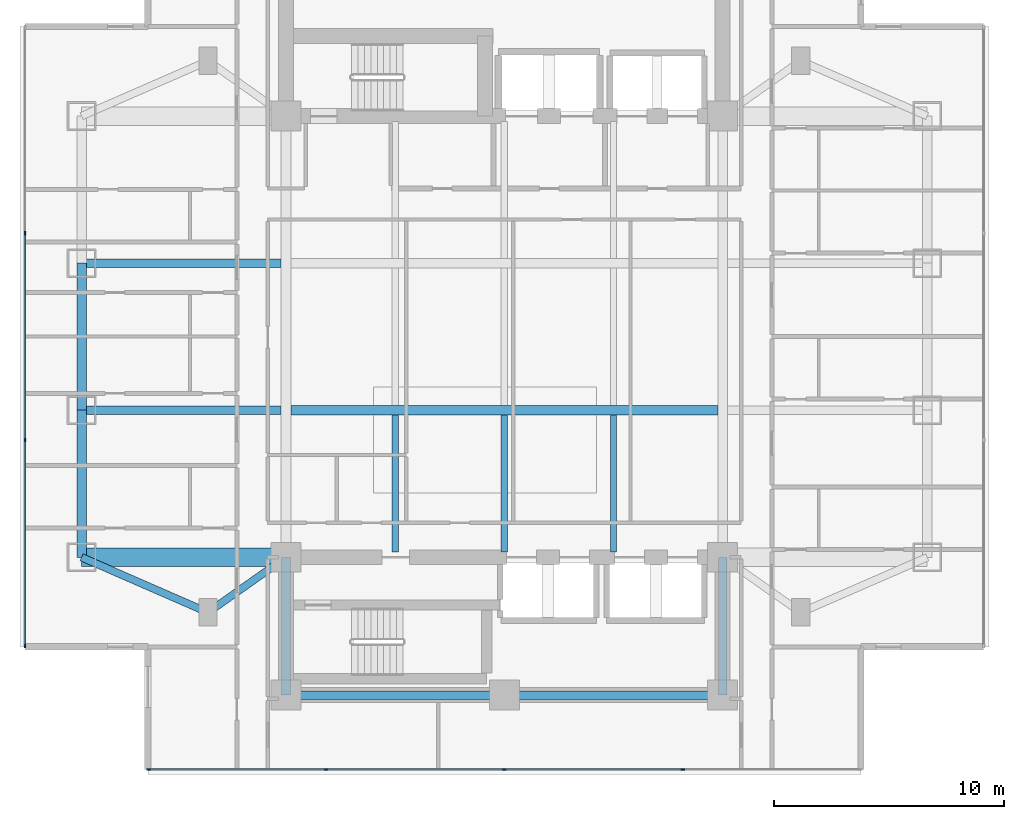
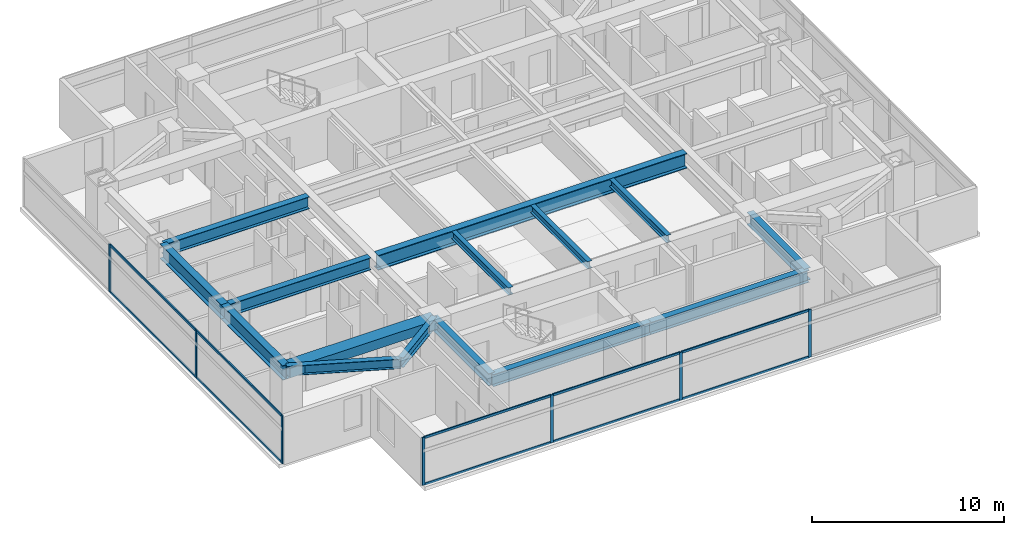
# One storey, part 2 of 27: 17 members, 15 beams, 2 elements without a shape of their own.
"""IFC4 building model written with IfcOpenShell, lengths in metres."""

from ifc_helpers import new_model, si_unit, direction, frame, origin, origin_2d, place, context, subcontext, project, spatial, rectangle, i_section, extrude, material, material_profile, profile_set, type_object, element, aggregate, save


model = new_model("IFC4")

# Units and contexts
model_context = context("Model", 3, precision=1e-05, world=origin(), true_north=direction((0.0, 1.0)))
body_context = subcontext(model_context, "Body", "Model", "MODEL_VIEW")
ifc_project = project(units=[si_unit("LENGTHUNIT", "METRE"), si_unit("AREAUNIT", "SQUARE_METRE"), si_unit("VOLUMEUNIT", "CUBIC_METRE"), si_unit("PLANEANGLEUNIT", "RADIAN"), si_unit("MASSUNIT", "GRAM", prefix="KILO")], contexts=[model_context])

# Site, building, storey
site_placement = place(None, origin())
site = spatial("IfcSite", under=ifc_project, at=site_placement, CompositionType="ELEMENT")
building_placement = place(site_placement, origin())
building = spatial("IfcBuilding", under=site, at=building_placement, Name="Mirazonda Arch Towers", CompositionType="ELEMENT")
storey_placement = place(building_placement, frame((0.0, 0.0, 55.39990234375)))
storey = spatial("IfcBuildingStorey", under=building, at=storey_placement, Name="L15", CompositionType="ELEMENT", Elevation=55.39990234375)

# Beams
ifc_material_1 = material(Name="Steel ASTM A992 Grade 50", Category="steel")
ifc_material_profile_1 = material_profile(ifc_material_1, i_section(OverallWidth=0.41796875, OverallDepth=0.927001953125, WebThickness=0.019287109375, FlangeThickness=0.031982421875, at=origin_2d()), Name="W36X231")
ifc_profile_set_1 = profile_set([ifc_material_profile_1], Name="Steel ASTM A992 Grade 50")
beam_type_1 = type_object("IfcBeamType", Name="BM-EXT-W36X231", PredefinedType="USERDEFINED", material=ifc_profile_set_1)
beam_1_placement = place(storey_placement, frame((2.10009765625, 18.39990234375, 2.5966796875), z_axis=(0.0, 1.0, 0.0), x_axis=(-1.0, 0.0, 0.0)))
element("IfcBeam", 1, at=beam_1_placement, inside=storey, type_object=beam_type_1, Name="L15 Floor Beam BM-T1-L15-NS-W-18", ObjectType="GIRDER", PredefinedType="USERDEFINED", context=body_context, shape_type="SweptSolid", body=[
    extrude(i_section(OverallWidth=0.41796875, OverallDepth=0.927001953125, WebThickness=0.019287109375, FlangeThickness=0.031982421875, at=origin_2d()), origin(), (0.0, 0.0, 1.0), 6.400146484375),
])
beam_2_placement = place(storey_placement, frame((2.10009765625, 24.800048828125, 2.5966796875), z_axis=(0.0, 1.0, 0.0), x_axis=(-1.0, 0.0, 0.0)))
element("IfcBeam", 2, at=beam_2_placement, inside=storey, type_object=beam_type_1, Name="L15 Floor Beam BM-T1-L15-NS-W-24", ObjectType="GIRDER", PredefinedType="USERDEFINED", context=body_context, shape_type="SweptSolid", body=[
    extrude(i_section(OverallWidth=0.41796875, OverallDepth=0.927001953125, WebThickness=0.019287109375, FlangeThickness=0.031982421875, at=origin_2d()), origin(), (0.0, 0.0, 1.0), 6.39990234375),
])
ifc_material_profile_2 = material_profile(ifc_material_1, i_section(OverallWidth=0.280029296875, OverallDepth=0.462890625, WebThickness=0.0107421875, FlangeThickness=0.017333984375, at=origin_2d()), Name="W18X76")
ifc_profile_set_2 = profile_set([ifc_material_profile_2], Name="Steel ASTM A992 Grade 50")
beam_type_2 = type_object("IfcBeamType", Name="BM-INT-W18X76", PredefinedType="JOIST", material=ifc_profile_set_2)
for number, where, z_axis, x_axis, name in (
    (3, (15.75, 18.639892578125, 2.82861328125), (0.0, 1.0, 0.0), (-1.0, 0.0, 0.0), "L15 Floor Beam BM-T1-L15-J-157-18"),
    (4, (20.5, 18.639892578125, 2.82861328125), (0.0, 1.0, 0.0), (-1.0, 0.0, 0.0), "L15 Floor Beam BM-T1-L15-J-205-18"),
    (5, (25.25, 18.639892578125, 2.82861328125), (0.0, 1.0, 0.0), (-1.0, 0.0, 0.0), "L15 Floor Beam BM-T1-L15-J-252-18"),
):
    element("IfcBeam", number, at=place(storey_placement, frame(where, z_axis=z_axis, x_axis=x_axis)), inside=storey, type_object=beam_type_2, Name=name, PredefinedType="JOIST", context=body_context, shape_type="SweptSolid", body=[
        extrude(i_section(OverallWidth=0.280029296875, OverallDepth=0.462890625, WebThickness=0.0107421875, FlangeThickness=0.017333984375, at=origin_2d()), origin(), (0.0, 0.0, 1.0), 5.95263671875),
    ])
ifc_material_profile_3 = material_profile(ifc_material_1, i_section(OverallWidth=0.324951171875, OverallDepth=0.615966796875, WebThickness=0.013916015625, FlangeThickness=0.021484375, at=origin_2d()), Name="W24X117")
ifc_profile_set_3 = profile_set([ifc_material_profile_3], Name="Steel ASTM A992 Grade 50")
beam_type_3 = type_object("IfcBeamType", Name="BM-INT-W24X117", PredefinedType="BEAM", material=ifc_profile_set_3)
beam_3_placement = place(storey_placement, frame((7.60009765625, 16.0, 2.752197265625), z_axis=(0.816971114901, 0.576678591087, 0.0), x_axis=(-0.576678591087, 0.816971114901, 0.0)))
element("IfcBeam", 6, at=beam_3_placement, inside=storey, type_object=beam_type_3, Name="L15 Floor Beam BM-T1-L15-PL-SW1", PredefinedType="BEAM", context=body_context, shape_type="SweptSolid", body=[
    extrude(i_section(OverallWidth=0.324951171875, OverallDepth=0.615966796875, WebThickness=0.013916015625, FlangeThickness=0.021484375, at=origin_2d()), origin(), (0.0, 0.0, 1.0), 4.16162109375),
])
beam_4_placement = place(storey_placement, frame((7.60009765625, 16.0, 2.752197265625), z_axis=(-0.916545343703, 0.399930785183, 0.0), x_axis=(-0.399930785183, -0.916545343703, 0.0)))
element("IfcBeam", 7, at=beam_4_placement, inside=storey, type_object=beam_type_3, Name="L15 Floor Beam BM-T1-L15-PL-SW2", PredefinedType="BEAM", context=body_context, shape_type="SweptSolid", body=[
    extrude(i_section(OverallWidth=0.324951171875, OverallDepth=0.615966796875, WebThickness=0.013916015625, FlangeThickness=0.021484375, at=origin_2d()), origin(), (0.0, 0.0, 1.0), 6.000732421875),
])
ifc_material_profile_4 = material_profile(ifc_material_1, i_section(OverallWidth=0.381103515625, OverallDepth=0.77294921875, WebThickness=0.0166015625, FlangeThickness=0.027099609375, at=origin_2d()), Name="W30X173")
ifc_profile_set_4 = profile_set([ifc_material_profile_4], Name="Steel ASTM A992 Grade 50")
beam_type_4 = type_object("IfcBeamType", Name="BM-INT-W30X173", PredefinedType="USERDEFINED", material=ifc_profile_set_4)
for number, where, z_axis, x_axis, name in (
    (8, (2.10009765625, 24.800048828125, 2.673583984375), (1.0, 0.0, 0.0), (0.0, 1.0, 0.0), "L15 Floor Beam BM-T1-L15-GW2"),
    (9, (2.10009765625, 31.199951171875, 2.673583984375), (1.0, 0.0, 0.0), (0.0, 1.0, 0.0), "L15 Floor Beam BM-T1-L15-GW3"),
):
    element("IfcBeam", number, at=place(storey_placement, frame(where, z_axis=z_axis, x_axis=x_axis)), inside=storey, type_object=beam_type_4, Name=name, ObjectType="GIRDER", PredefinedType="USERDEFINED", context=body_context, shape_type="SweptSolid", body=[
        extrude(i_section(OverallWidth=0.381103515625, OverallDepth=0.77294921875, WebThickness=0.0166015625, FlangeThickness=0.027099609375, at=origin_2d()), origin(), (0.0, 0.0, 1.0), 8.6884765625),
    ])
for number, where, z_axis, x_axis, name in (
    (10, (11.0, 12.39990234375, 2.673583984375), (1.0, 0.0, 0.0), (0.0, 1.0, 0.0), "L15 Floor Beam BM-T1-L15-CS1"),
    (11, (20.5, 12.39990234375, 2.673583984375), (1.0, 0.0, 0.0), (0.0, 1.0, 0.0), "L15 Floor Beam BM-T1-L15-CS2"),
):
    element("IfcBeam", number, at=place(storey_placement, frame(where, z_axis=z_axis, x_axis=x_axis)), inside=storey, type_object=beam_type_4, Name=name, ObjectType="GIRDER", PredefinedType="USERDEFINED", context=body_context, shape_type="SweptSolid", body=[
        extrude(i_section(OverallWidth=0.381103515625, OverallDepth=0.77294921875, WebThickness=0.0166015625, FlangeThickness=0.027099609375, at=origin_2d()), origin(), (0.0, 0.0, 1.0), 9.5),
    ])
for number, where, z_axis, x_axis, name in (
    (12, (11.0, 12.39990234375, 2.673583984375), (0.0, 1.0, 0.0), (-1.0, 0.0, 0.0), "L15 Floor Beam BM-T1-L15-CSW"),
    (13, (30.0, 12.39990234375, 2.673583984375), (0.0, 1.0, 0.0), (-1.0, 0.0, 0.0), "L15 Floor Beam BM-T1-L15-CSE"),
):
    element("IfcBeam", number, at=place(storey_placement, frame(where, z_axis=z_axis, x_axis=x_axis)), inside=storey, type_object=beam_type_4, Name=name, ObjectType="GIRDER", PredefinedType="USERDEFINED", context=body_context, shape_type="SweptSolid", body=[
        extrude(i_section(OverallWidth=0.381103515625, OverallDepth=0.77294921875, WebThickness=0.0166015625, FlangeThickness=0.027099609375, at=origin_2d()), origin(), (0.0, 0.0, 1.0), 6.0),
    ])
ifc_material_profile_5 = material_profile(ifc_material_1, i_section(OverallWidth=0.423095703125, OverallDepth=0.947998046875, WebThickness=0.02392578125, FlangeThickness=0.042724609375, at=origin_2d()), Name="W36X302")
ifc_profile_set_5 = profile_set([ifc_material_profile_5], Name="Steel ASTM A992 Grade 50")
beam_type_5 = type_object("IfcBeamType", Name="BM-INT-W36X302", PredefinedType="USERDEFINED", material=ifc_profile_set_5)
beam_5_placement = place(storey_placement, frame((11.21142578125, 24.800048828125, 2.586181640625), z_axis=(1.0, 0.0, 0.0), x_axis=(0.0, 1.0, 0.0)))
element("IfcBeam", 14, at=beam_5_placement, inside=storey, type_object=beam_type_5, Name="L15 Floor Beam BM-T1-L15-GC2", ObjectType="GIRDER", PredefinedType="USERDEFINED", context=body_context, shape_type="SweptSolid", body=[
    extrude(i_section(OverallWidth=0.423095703125, OverallDepth=0.947998046875, WebThickness=0.02392578125, FlangeThickness=0.042724609375, at=origin_2d()), origin(), (0.0, 0.0, 1.0), 18.5771484375),
])
ifc_material_2 = material(Name="Concrete C60/75", Category="concrete")
ifc_material_profile_6 = material_profile(ifc_material_2, rectangle(XDim=0.800048828125, YDim=0.60009765625, at=origin_2d()), Name="RCCB800x600")
ifc_profile_set_6 = profile_set([ifc_material_profile_6], Name="Concrete C60/75")
beam_type_6 = type_object("IfcBeamType", Name="CB-INT-RCCB800x600", PredefinedType="SPANDREL", material=ifc_profile_set_6)
beam_6_placement = place(storey_placement, frame((2.10009765625, 18.39990234375, 2.760009765625), z_axis=(1.0, 0.0, 0.0), x_axis=(0.0, 1.0, 0.0)))
element("IfcBeam", 15, at=beam_6_placement, inside=storey, type_object=beam_type_6, Name="L15 Floor Beam CBC-T1-L15-SW", PredefinedType="SPANDREL", context=body_context, shape_type="SweptSolid", body=[
    extrude(rectangle(XDim=0.800048828125, YDim=0.60009765625, at=origin_2d()), origin(), (0.0, 0.0, 1.0), 8.89990234375),
])

# Curtain wall, members
ifc_material_3 = material(Name="Anodised Aluminium and Low-E Glass", Category="aluminium")
curtain_wall_type = type_object("IfcCurtainWallType", Name="CW-HTL-UNIT", PredefinedType="NOTDEFINED", material=ifc_material_3)
curtain_wall_1_placement = place(storey_placement, origin())
curtain_wall_1 = element("IfcCurtainWall", 16, at=curtain_wall_1_placement, inside=storey, type_object=curtain_wall_type, Name="L15 T1 S Facade CW-L15-T1-S", PredefinedType="NOTDEFINED")
ifc_material_4 = material(Name="Anodised Aluminium Alloy", Category="aluminium")
ifc_material_profile_7 = material_profile(ifc_material_4, rectangle(XDim=0.074951171875, YDim=0.1650390625, at=origin_2d()), Name="ALU-MULL-75x165")
ifc_profile_set_7 = profile_set([ifc_material_profile_7], Name="Anodised Aluminium Alloy")
member_type_1 = type_object("IfcMemberType", Name="MULL-CW-HTL-UNIT", PredefinedType="MULLION", material=ifc_profile_set_7)
member_1_placement = place(storey_placement, frame((28.260009765625, 9.162109375, 0.0), z_axis=(0.0, 0.0, 1.0), x_axis=(0.0, -1.0, 0.0)))
member_1 = element("IfcMember", 17, at=member_1_placement, type_object=member_type_1, Name="CW-112 mullion 2", PredefinedType="MULLION", context=body_context, shape_type="SweptSolid", body=[
    extrude(rectangle(XDim=0.074951171875, YDim=0.1650390625, at=origin_2d()), origin(), (0.0, 0.0, 1.0), 3.0400390625),
])
member_2_placement = place(storey_placement, frame((20.5, 9.162109375, 0.0), z_axis=(0.0, 0.0, 1.0), x_axis=(0.0, -1.0, 0.0)))
member_2 = element("IfcMember", 18, at=member_2_placement, type_object=member_type_1, Name="CW-112 mullion 3", PredefinedType="MULLION", context=body_context, shape_type="SweptSolid", body=[
    extrude(rectangle(XDim=0.074951171875, YDim=0.1650390625, at=origin_2d()), origin(), (0.0, 0.0, 1.0), 3.0400390625),
])
member_3_placement = place(storey_placement, frame((12.739990234375, 9.162109375, 0.0), z_axis=(0.0, 0.0, 1.0), x_axis=(0.0, -1.0, 0.0)))
member_3 = element("IfcMember", 19, at=member_3_placement, type_object=member_type_1, Name="CW-112 mullion 4", PredefinedType="MULLION", context=body_context, shape_type="SweptSolid", body=[
    extrude(rectangle(XDim=0.074951171875, YDim=0.1650390625, at=origin_2d()), origin(), (0.0, 0.0, 1.0), 3.0400390625),
])
member_4_placement = place(storey_placement, frame((5.017578125, 9.162109375, 0.0), z_axis=(0.0, 0.0, 1.0), x_axis=(0.0, -1.0, 0.0)))
member_4 = element("IfcMember", 20, at=member_4_placement, type_object=member_type_1, Name="CW-112 mullion 5", PredefinedType="MULLION", context=body_context, shape_type="SweptSolid", body=[
    extrude(rectangle(XDim=0.074951171875, YDim=0.1650390625, at=origin_2d()), origin(), (0.0, 0.0, 1.0), 3.0400390625),
])

curtain_wall_2_placement = place(storey_placement, origin())
curtain_wall_2 = element("IfcCurtainWall", 21, at=curtain_wall_2_placement, inside=storey, type_object=curtain_wall_type, Name="L15 T1 W Facade CW-L15-T1-W", PredefinedType="NOTDEFINED")
member_5_placement = place(storey_placement, frame((-0.360107421875, 32.499267578125, 0.0), z_axis=(0.0, 0.0, 1.0), x_axis=(1.0, 0.0, 0.0)))
member_5 = element("IfcMember", 22, at=member_5_placement, type_object=member_type_1, Name="CW-112 mullion 2", PredefinedType="MULLION", context=body_context, shape_type="SweptSolid", body=[
    extrude(rectangle(XDim=0.074951171875, YDim=0.1650390625, at=origin_2d()), origin(), (0.0, 0.0, 1.0), 3.0400390625),
])
member_6_placement = place(storey_placement, frame((-0.360107421875, 23.500732421875, 0.0), z_axis=(0.0, 0.0, 1.0), x_axis=(1.0, 0.0, 0.0)))
member_6 = element("IfcMember", 23, at=member_6_placement, type_object=member_type_1, Name="CW-112 mullion 3", PredefinedType="MULLION", context=body_context, shape_type="SweptSolid", body=[
    extrude(rectangle(XDim=0.074951171875, YDim=0.1650390625, at=origin_2d()), origin(), (0.0, 0.0, 1.0), 3.0400390625),
])
member_7_placement = place(storey_placement, frame((-0.360107421875, 14.53955078125, 0.0), z_axis=(0.0, 0.0, 1.0), x_axis=(1.0, 0.0, 0.0)))
member_7 = element("IfcMember", 24, at=member_7_placement, type_object=member_type_1, Name="CW-112 mullion 4", PredefinedType="MULLION", context=body_context, shape_type="SweptSolid", body=[
    extrude(rectangle(XDim=0.074951171875, YDim=0.1650390625, at=origin_2d()), origin(), (0.0, 0.0, 1.0), 3.0400390625),
])

# Member
ifc_material_profile_8 = material_profile(ifc_material_4, rectangle(XDim=0.074951171875, YDim=0.14501953125, at=origin_2d()), Name="ALU-TRAN-75x145")
ifc_profile_set_8 = profile_set([ifc_material_profile_8], Name="Anodised Aluminium Alloy")
member_type_2 = type_object("IfcMemberType", Name="TRAN-CW-HTL-UNIT", PredefinedType="USERDEFINED", material=ifc_profile_set_8)
member_8_placement = place(storey_placement, frame((28.222412109375, 9.162109375, 0.03759765625), z_axis=(-1.0, 0.0, 0.0), x_axis=(0.0, -1.0, 0.0)))
member_8 = element("IfcMember", 25, at=member_8_placement, type_object=member_type_2, Name="CW-112 transom 2.1", ObjectType="TRANSOM", PredefinedType="USERDEFINED", context=body_context, shape_type="SweptSolid", body=[
    extrude(rectangle(XDim=0.074951171875, YDim=0.14501953125, at=origin_2d()), origin(), (0.0, 0.0, 1.0), 7.684814453125),
])

member_9_placement = place(storey_placement, frame((28.222412109375, 9.162109375, 3.002685546875), z_axis=(-1.0, 0.0, 0.0), x_axis=(0.0, -1.0, 0.0)))
member_9 = element("IfcMember", 26, at=member_9_placement, type_object=member_type_2, Name="CW-112 transom 2.2", ObjectType="TRANSOM", PredefinedType="USERDEFINED", context=body_context, shape_type="SweptSolid", body=[
    extrude(rectangle(XDim=0.074951171875, YDim=0.14501953125, at=origin_2d()), origin(), (0.0, 0.0, 1.0), 7.684814453125),
])

member_10_placement = place(storey_placement, frame((20.46240234375, 9.162109375, 0.03759765625), z_axis=(-1.0, 0.0, 0.0), x_axis=(0.0, -1.0, 0.0)))
member_10 = element("IfcMember", 27, at=member_10_placement, type_object=member_type_2, Name="CW-112 transom 3.1", ObjectType="TRANSOM", PredefinedType="USERDEFINED", context=body_context, shape_type="SweptSolid", body=[
    extrude(rectangle(XDim=0.074951171875, YDim=0.14501953125, at=origin_2d()), origin(), (0.0, 0.0, 1.0), 7.684814453125),
])

member_11_placement = place(storey_placement, frame((20.46240234375, 9.162109375, 3.002685546875), z_axis=(-1.0, 0.0, 0.0), x_axis=(0.0, -1.0, 0.0)))
member_11 = element("IfcMember", 28, at=member_11_placement, type_object=member_type_2, Name="CW-112 transom 3.2", ObjectType="TRANSOM", PredefinedType="USERDEFINED", context=body_context, shape_type="SweptSolid", body=[
    extrude(rectangle(XDim=0.074951171875, YDim=0.14501953125, at=origin_2d()), origin(), (0.0, 0.0, 1.0), 7.684814453125),
])

member_12_placement = place(storey_placement, frame((12.702392578125, 9.162109375, 0.03759765625), z_axis=(-1.0, 0.0, 0.0), x_axis=(0.0, -1.0, 0.0)))
member_12 = element("IfcMember", 29, at=member_12_placement, type_object=member_type_2, Name="CW-112 transom 4.1", ObjectType="TRANSOM", PredefinedType="USERDEFINED", context=body_context, shape_type="SweptSolid", body=[
    extrude(rectangle(XDim=0.074951171875, YDim=0.14501953125, at=origin_2d()), origin(), (0.0, 0.0, 1.0), 7.6474609375),
])

member_13_placement = place(storey_placement, frame((12.702392578125, 9.162109375, 3.002685546875), z_axis=(-1.0, 0.0, 0.0), x_axis=(0.0, -1.0, 0.0)))
member_13 = element("IfcMember", 30, at=member_13_placement, type_object=member_type_2, Name="CW-112 transom 4.2", ObjectType="TRANSOM", PredefinedType="USERDEFINED", context=body_context, shape_type="SweptSolid", body=[
    extrude(rectangle(XDim=0.074951171875, YDim=0.14501953125, at=origin_2d()), origin(), (0.0, 0.0, 1.0), 7.6474609375),
])

aggregate(curtain_wall_1, [member_1, member_2, member_3, member_4, member_8, member_9, member_10, member_11, member_12, member_13])

member_14_placement = place(storey_placement, frame((-0.360107421875, 32.4619140625, 0.03759765625), z_axis=(0.0, -1.0, 0.0), x_axis=(1.0, 0.0, 0.0)))
member_14 = element("IfcMember", 31, at=member_14_placement, type_object=member_type_2, Name="CW-112 transom 2.1", ObjectType="TRANSOM", PredefinedType="USERDEFINED", context=body_context, shape_type="SweptSolid", body=[
    extrude(rectangle(XDim=0.074951171875, YDim=0.14501953125, at=origin_2d()), origin(), (0.0, 0.0, 1.0), 8.923828125),
])

member_15_placement = place(storey_placement, frame((-0.360107421875, 32.4619140625, 3.002685546875), z_axis=(0.0, -1.0, 0.0), x_axis=(1.0, 0.0, 0.0)))
member_15 = element("IfcMember", 32, at=member_15_placement, type_object=member_type_2, Name="CW-112 transom 2.2", ObjectType="TRANSOM", PredefinedType="USERDEFINED", context=body_context, shape_type="SweptSolid", body=[
    extrude(rectangle(XDim=0.074951171875, YDim=0.14501953125, at=origin_2d()), origin(), (0.0, 0.0, 1.0), 8.923828125),
])

member_16_placement = place(storey_placement, frame((-0.360107421875, 23.463134765625, 0.03759765625), z_axis=(0.0, -1.0, 0.0), x_axis=(1.0, 0.0, 0.0)))
member_16 = element("IfcMember", 33, at=member_16_placement, type_object=member_type_2, Name="CW-112 transom 3.1", ObjectType="TRANSOM", PredefinedType="USERDEFINED", context=body_context, shape_type="SweptSolid", body=[
    extrude(rectangle(XDim=0.074951171875, YDim=0.14501953125, at=origin_2d()), origin(), (0.0, 0.0, 1.0), 8.88623046875),
])

member_17_placement = place(storey_placement, frame((-0.360107421875, 23.463134765625, 3.002685546875), z_axis=(0.0, -1.0, 0.0), x_axis=(1.0, 0.0, 0.0)))
member_17 = element("IfcMember", 34, at=member_17_placement, type_object=member_type_2, Name="CW-112 transom 3.2", ObjectType="TRANSOM", PredefinedType="USERDEFINED", context=body_context, shape_type="SweptSolid", body=[
    extrude(rectangle(XDim=0.074951171875, YDim=0.14501953125, at=origin_2d()), origin(), (0.0, 0.0, 1.0), 8.88623046875),
])

aggregate(curtain_wall_2, [member_5, member_6, member_7, member_14, member_15, member_16, member_17])

save(model, "model.ifc")
